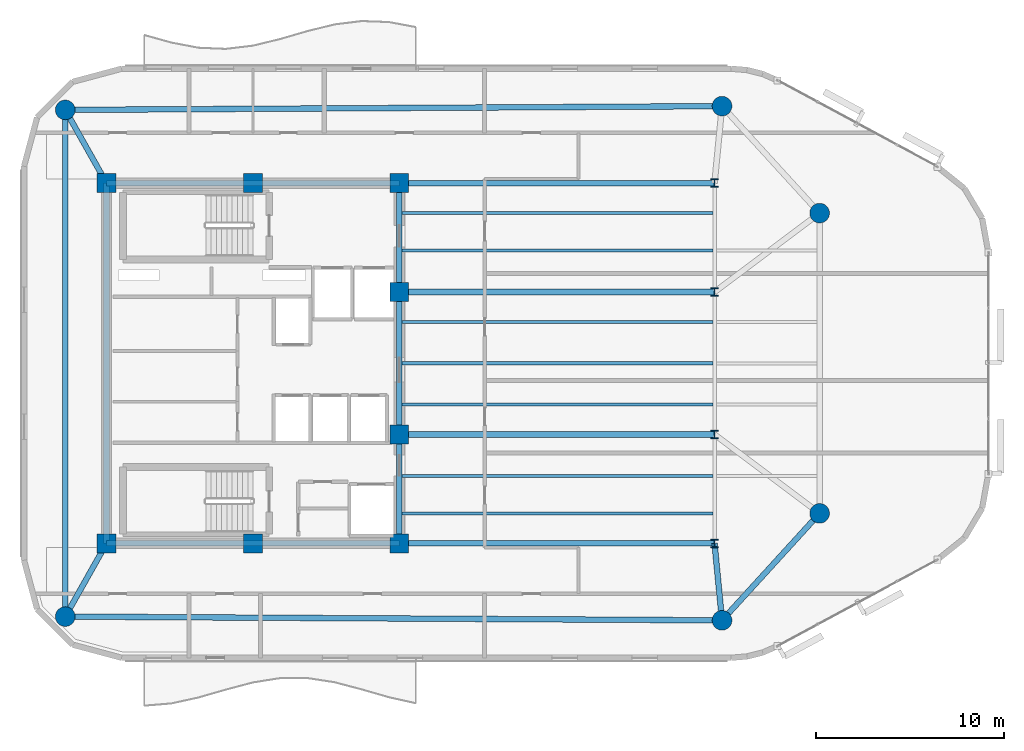
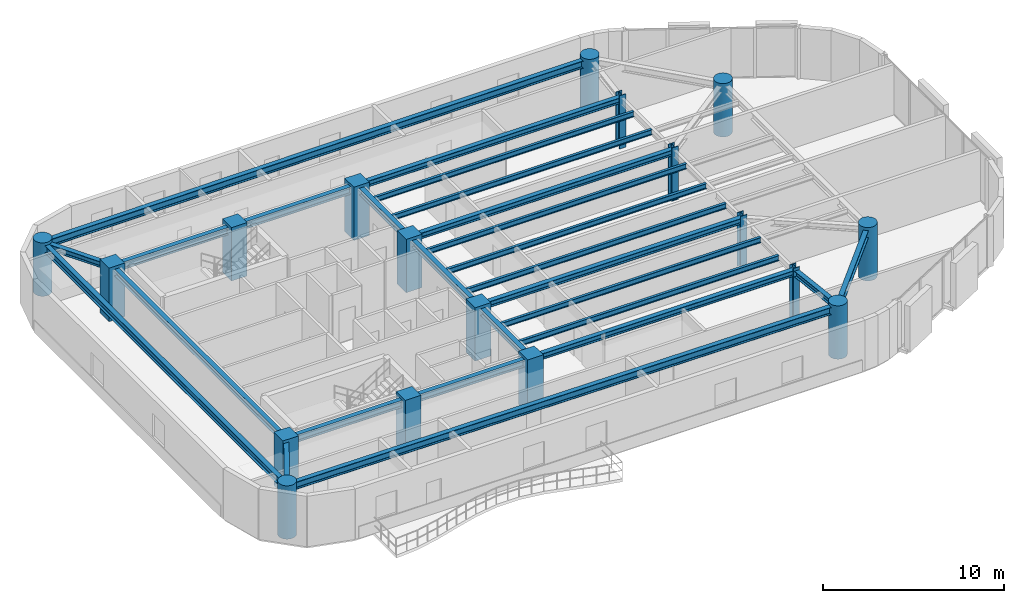
# One storey, part 1 of 13: 24 beams, 18 columns.
"""IFC4 building model written with IfcOpenShell, lengths in metres."""

from ifc_helpers import new_model, si_unit, direction, frame, origin, origin_2d, place, context, subcontext, project, spatial, rectangle, circle, i_section, extrude, material, material_profile, profile_set, type_object, element, save


model = new_model("IFC4")

# Units and contexts
model_context = context("Model", 3, precision=1e-05, world=origin(), true_north=direction((0.0, 1.0)))
body_context = subcontext(model_context, "Body", "Model", "MODEL_VIEW")
ifc_project = project(units=[si_unit("LENGTHUNIT", "METRE"), si_unit("AREAUNIT", "SQUARE_METRE"), si_unit("VOLUMEUNIT", "CUBIC_METRE"), si_unit("PLANEANGLEUNIT", "RADIAN"), si_unit("MASSUNIT", "GRAM", prefix="KILO")], contexts=[model_context])

# Site, building, storey
site_placement = place(None, origin())
site = spatial("IfcSite", under=ifc_project, at=site_placement, CompositionType="ELEMENT")
building_placement = place(site_placement, origin())
building = spatial("IfcBuilding", under=site, at=building_placement, Name="An Khanh Terracotta Commons", CompositionType="ELEMENT")
storey_placement = place(building_placement, frame((0.0, 0.0, 215.699951171875)))
storey = spatial("IfcBuildingStorey", under=building, at=storey_placement, Name="L56", CompositionType="ELEMENT", Elevation=215.699951171875)

# Columns
ifc_material_1 = material(Name="Concrete C60/75", Category="concrete")
ifc_material_profile_1 = material_profile(ifc_material_1, circle(Radius=0.52490234375, at=origin_2d()), Name="CFST1050")
ifc_profile_set_1 = profile_set([ifc_material_profile_1], Name="Concrete C60/75")
column_type_1 = type_object("IfcColumnType", Name="COL-CFST1050", PredefinedType="COLUMN", material=ifc_profile_set_1)
for number, where, z_axis, x_axis, name in (
    (1, (19.39990234375, 10.5, 0.0), (0.0, 0.0, 1.0), (1.0, 0.0, 0.0), "L56 Perimeter CFST Mega-Column MC-01"),
    (2, (54.39990234375, 10.300048828125, 0.0), (0.0, 0.0, 1.0), (1.0, 0.0, 0.0), "L56 Perimeter CFST Mega-Column MC-02"),
    (3, (59.60009765625, 16.0, 0.0), (0.0, 0.0, 1.0), (1.0, 0.0, 0.0), "L56 Perimeter CFST Mega-Column MC-03"),
    (4, (59.60009765625, 32.0, 0.0), (0.0, 0.0, 1.0), (1.0, 0.0, 0.0), "L56 Perimeter CFST Mega-Column MC-04"),
    (5, (54.39990234375, 37.699951171875, 0.0), (0.0, 0.0, 1.0), (1.0, 0.0, 0.0), "L56 Perimeter CFST Mega-Column MC-05"),
    (6, (19.39990234375, 37.5, 0.0), (0.0, 0.0, 1.0), (1.0, 0.0, 0.0), "L56 Perimeter CFST Mega-Column MC-06"),
):
    element("IfcColumn", number, at=place(storey_placement, frame(where, z_axis=z_axis, x_axis=x_axis)), inside=storey, type_object=column_type_1, Name=name, PredefinedType="COLUMN", context=body_context, shape_type="SweptSolid", body=[
        extrude(circle(Radius=0.52490234375, at=origin_2d()), origin(), (0.0, 0.0, 1.0), 3.60009765625),
    ])
ifc_material_2 = material(Name="Steel S460ML", Category="steel")
ifc_material_profile_2 = material_profile(ifc_material_2, i_section(OverallWidth=0.406005859375, OverallDepth=0.43994140625, WebThickness=0.02392578125, FlangeThickness=0.0390625, FilletRadius=0.014892578125, at=origin_2d()), Name="HD400x314")
ifc_profile_set_2 = profile_set([ifc_material_profile_2], Name="Steel S460ML")
column_type_2 = type_object("IfcColumnType", Name="COL-HD400x314", PredefinedType="COLUMN", material=ifc_profile_set_2)
for number, where, z_axis, x_axis, name in (
    (7, (54.0, 14.39990234375, 0.0), (0.0, 0.0, 1.0), (1.0, 0.0, 0.0), "L56 Interior Frame Column TC-01"),
    (8, (54.0, 20.199951171875, 0.0), (0.0, 0.0, 1.0), (1.0, 0.0, 0.0), "L56 Interior Frame Column TC-02"),
    (9, (54.0, 27.800048828125, 0.0), (0.0, 0.0, 1.0), (1.0, 0.0, 0.0), "L56 Interior Frame Column TC-03"),
    (10, (54.0, 33.60009765625, 0.0), (0.0, 0.0, 1.0), (1.0, 0.0, 0.0), "L56 Interior Frame Column TC-04"),
):
    element("IfcColumn", number, at=place(storey_placement, frame(where, z_axis=z_axis, x_axis=x_axis)), inside=storey, type_object=column_type_2, Name=name, PredefinedType="COLUMN", context=body_context, shape_type="SweptSolid", body=[
        extrude(i_section(OverallWidth=0.406005859375, OverallDepth=0.43994140625, WebThickness=0.02392578125, FlangeThickness=0.0390625, FilletRadius=0.014892578125, at=origin_2d()), origin(), (0.0, 0.0, 1.0), 3.60009765625),
    ])
ifc_material_profile_3 = material_profile(ifc_material_1, rectangle(XDim=1.0, YDim=1.0, at=origin_2d()), Name="RC1000x1000")
ifc_profile_set_3 = profile_set([ifc_material_profile_3], Name="Concrete C60/75")
column_type_3 = type_object("IfcColumnType", Name="COL-RC1000x1000", PredefinedType="COLUMN", material=ifc_profile_set_3)
for number, where, z_axis, x_axis, name in (
    (11, (21.60009765625, 14.39990234375, 0.0), (0.0, 0.0, 1.0), (1.0, 0.0, 0.0), "L56 Core Boundary Column CC-01"),
    (12, (29.39990234375, 14.39990234375, 0.0), (0.0, 0.0, 1.0), (1.0, 0.0, 0.0), "L56 Core Boundary Column CC-02"),
    (13, (37.199951171875, 14.39990234375, 0.0), (0.0, 0.0, 1.0), (1.0, 0.0, 0.0), "L56 Core Boundary Column CC-03"),
    (14, (37.199951171875, 20.199951171875, 0.0), (0.0, 0.0, 1.0), (1.0, 0.0, 0.0), "L56 Core Boundary Column CC-04"),
    (15, (37.199951171875, 27.800048828125, 0.0), (0.0, 0.0, 1.0), (1.0, 0.0, 0.0), "L56 Core Boundary Column CC-05"),
    (16, (37.199951171875, 33.60009765625, 0.0), (0.0, 0.0, 1.0), (1.0, 0.0, 0.0), "L56 Core Boundary Column CC-06"),
    (17, (29.39990234375, 33.60009765625, 0.0), (0.0, 0.0, 1.0), (1.0, 0.0, 0.0), "L56 Core Boundary Column CC-07"),
    (18, (21.60009765625, 33.60009765625, 0.0), (0.0, 0.0, 1.0), (1.0, 0.0, 0.0), "L56 Core Boundary Column CC-08"),
):
    element("IfcColumn", number, at=place(storey_placement, frame(where, z_axis=z_axis, x_axis=x_axis)), inside=storey, type_object=column_type_3, Name=name, PredefinedType="COLUMN", context=body_context, shape_type="SweptSolid", body=[
        extrude(rectangle(XDim=1.0, YDim=1.0, at=origin_2d()), origin(), (0.0, 0.0, 1.0), 3.60009765625),
    ])

# Beams
ifc_material_3 = material(Name="Steel S355J2", Category="steel")
ifc_material_profile_4 = material_profile(ifc_material_3, i_section(OverallWidth=0.300048828125, OverallDepth=0.39990234375, WebThickness=0.013427734375, FlangeThickness=0.02392578125, FilletRadius=0.027099609375, at=origin_2d()), Name="HEB400")
ifc_profile_set_4 = profile_set([ifc_material_profile_4], Name="Steel S355J2")
beam_type_1 = type_object("IfcBeamType", Name="BM-HEB400", PredefinedType="BEAM", material=ifc_profile_set_4)
for number, where, z_axis, x_axis, name in (
    (19, (37.199951171875, 14.39990234375, 3.199951171875), (1.0, 0.0, 0.0), (0.0, 1.0, 0.0), "L56 East Primary Floor Girder 1"),
    (20, (37.199951171875, 20.199951171875, 3.199951171875), (1.0, 0.0, 0.0), (0.0, 1.0, 0.0), "L56 East Primary Floor Girder 2"),
    (21, (37.199951171875, 27.800048828125, 3.199951171875), (1.0, 0.0, 0.0), (0.0, 1.0, 0.0), "L56 East Primary Floor Girder 3"),
    (22, (37.199951171875, 33.60009765625, 3.199951171875), (1.0, 0.0, 0.0), (0.0, 1.0, 0.0), "L56 East Primary Floor Girder 4"),
):
    element("IfcBeam", number, at=place(storey_placement, frame(where, z_axis=z_axis, x_axis=x_axis)), inside=storey, type_object=beam_type_1, Name=name, PredefinedType="BEAM", context=body_context, shape_type="SweptSolid", body=[
        extrude(i_section(OverallWidth=0.300048828125, OverallDepth=0.39990234375, WebThickness=0.013427734375, FlangeThickness=0.02392578125, FilletRadius=0.027099609375, at=origin_2d()), origin(), (0.0, 0.0, 1.0), 16.800048828125),
    ])
beam_1_placement = place(storey_placement, frame((19.39990234375, 10.5, 3.199951171875), z_axis=(0.491363608436, 0.870954536302, 0.0), x_axis=(-0.870954536302, 0.491363608436, 0.0)))
element("IfcBeam", 23, at=beam_1_placement, inside=storey, type_object=beam_type_1, Name="L56 Mega-Column Tie Girder 1", PredefinedType="BEAM", context=body_context, shape_type="SweptSolid", body=[
    extrude(i_section(OverallWidth=0.300048828125, OverallDepth=0.39990234375, WebThickness=0.013427734375, FlangeThickness=0.02392578125, FilletRadius=0.027099609375, at=origin_2d()), origin(), (0.0, 0.0, 1.0), 4.477783203125),
])
beam_2_placement = place(storey_placement, frame((54.39990234375, 10.300048828125, 3.199951171875), z_axis=(-0.097079917443, 0.995276589511, 0.0), x_axis=(-0.995276589511, -0.097079917443, 0.0)))
element("IfcBeam", 24, at=beam_2_placement, inside=storey, type_object=beam_type_1, Name="L56 Mega-Column Tie Girder 2", PredefinedType="BEAM", context=body_context, shape_type="SweptSolid", body=[
    extrude(i_section(OverallWidth=0.300048828125, OverallDepth=0.39990234375, WebThickness=0.013427734375, FlangeThickness=0.02392578125, FilletRadius=0.027099609375, at=origin_2d()), origin(), (0.0, 0.0, 1.0), 4.119384765625),
])
beam_3_placement = place(storey_placement, frame((19.39990234375, 37.5, 3.199951171875), z_axis=(0.491363608436, -0.870954536302, 0.0), x_axis=(0.870954536302, 0.491363608436, 0.0)))
element("IfcBeam", 25, at=beam_3_placement, inside=storey, type_object=beam_type_1, Name="L56 Mega-Column Tie Girder 6", PredefinedType="BEAM", context=body_context, shape_type="SweptSolid", body=[
    extrude(i_section(OverallWidth=0.300048828125, OverallDepth=0.39990234375, WebThickness=0.013427734375, FlangeThickness=0.02392578125, FilletRadius=0.027099609375, at=origin_2d()), origin(), (0.0, 0.0, 1.0), 4.477783203125),
])
ifc_material_profile_5 = material_profile(ifc_material_3, i_section(OverallWidth=0.300048828125, OverallDepth=0.449951171875, WebThickness=0.013916015625, FlangeThickness=0.02587890625, FilletRadius=0.027099609375, at=origin_2d()), Name="HEB450")
ifc_profile_set_5 = profile_set([ifc_material_profile_5], Name="Steel S355J2")
beam_type_2 = type_object("IfcBeamType", Name="BM-HEB450", PredefinedType="BEAM", material=ifc_profile_set_5)
beam_4_placement = place(storey_placement, frame((37.199951171875, 14.39990234375, 3.175048828125), z_axis=(0.0, 1.0, 0.0), x_axis=(-1.0, 0.0, 0.0)))
element("IfcBeam", 26, at=beam_4_placement, inside=storey, type_object=beam_type_2, Name="L56 Core East Coupling Girder 1", PredefinedType="BEAM", context=body_context, shape_type="SweptSolid", body=[
    extrude(i_section(OverallWidth=0.300048828125, OverallDepth=0.449951171875, WebThickness=0.013916015625, FlangeThickness=0.02587890625, FilletRadius=0.027099609375, at=origin_2d()), origin(), (0.0, 0.0, 1.0), 5.800048828125),
])
beam_5_placement = place(storey_placement, frame((37.199951171875, 20.199951171875, 3.175048828125), z_axis=(0.0, 1.0, 0.0), x_axis=(-1.0, 0.0, 0.0)))
element("IfcBeam", 27, at=beam_5_placement, inside=storey, type_object=beam_type_2, Name="L56 Core East Coupling Girder 2", PredefinedType="BEAM", context=body_context, shape_type="SweptSolid", body=[
    extrude(i_section(OverallWidth=0.300048828125, OverallDepth=0.449951171875, WebThickness=0.013916015625, FlangeThickness=0.02587890625, FilletRadius=0.027099609375, at=origin_2d()), origin(), (0.0, 0.0, 1.0), 7.60009765625),
])
beam_6_placement = place(storey_placement, frame((37.199951171875, 27.800048828125, 3.175048828125), z_axis=(0.0, 1.0, 0.0), x_axis=(-1.0, 0.0, 0.0)))
element("IfcBeam", 28, at=beam_6_placement, inside=storey, type_object=beam_type_2, Name="L56 Core East Coupling Girder 3", PredefinedType="BEAM", context=body_context, shape_type="SweptSolid", body=[
    extrude(i_section(OverallWidth=0.300048828125, OverallDepth=0.449951171875, WebThickness=0.013916015625, FlangeThickness=0.02587890625, FilletRadius=0.027099609375, at=origin_2d()), origin(), (0.0, 0.0, 1.0), 5.800048828125),
])
beam_7_placement = place(storey_placement, frame((21.60009765625, 14.39990234375, 3.175048828125), z_axis=(0.0, 1.0, 0.0), x_axis=(-1.0, 0.0, 0.0)))
element("IfcBeam", 29, at=beam_7_placement, inside=storey, type_object=beam_type_2, Name="L56 Core West Coupling Girder", PredefinedType="BEAM", context=body_context, shape_type="SweptSolid", body=[
    extrude(i_section(OverallWidth=0.300048828125, OverallDepth=0.449951171875, WebThickness=0.013916015625, FlangeThickness=0.02587890625, FilletRadius=0.027099609375, at=origin_2d()), origin(), (0.0, 0.0, 1.0), 19.2001953125),
])
ifc_material_profile_6 = material_profile(ifc_material_3, i_section(OverallWidth=0.300048828125, OverallDepth=0.5, WebThickness=0.014404296875, FlangeThickness=0.028076171875, FilletRadius=0.027099609375, at=origin_2d()), Name="HEB500")
ifc_profile_set_6 = profile_set([ifc_material_profile_6], Name="Steel S355J2")
beam_type_3 = type_object("IfcBeamType", Name="BM-HEB500", PredefinedType="BEAM", material=ifc_profile_set_6)
for number, where, z_axis, x_axis, name in (
    (30, (21.60009765625, 14.39990234375, 3.150146484375), (1.0, 0.0, 0.0), (0.0, 1.0, 0.0), "L56 Core South Coupling Girder"),
    (31, (21.60009765625, 33.60009765625, 3.150146484375), (1.0, 0.0, 0.0), (0.0, 1.0, 0.0), "L56 Core North Coupling Girder"),
):
    element("IfcBeam", number, at=place(storey_placement, frame(where, z_axis=z_axis, x_axis=x_axis)), inside=storey, type_object=beam_type_3, Name=name, PredefinedType="BEAM", context=body_context, shape_type="SweptSolid", body=[
        extrude(i_section(OverallWidth=0.300048828125, OverallDepth=0.5, WebThickness=0.014404296875, FlangeThickness=0.028076171875, FilletRadius=0.027099609375, at=origin_2d()), origin(), (0.0, 0.0, 1.0), 15.599853515625),
    ])
beam_8_placement = place(storey_placement, frame((19.39990234375, 10.5, 3.150146484375), z_axis=(0.99998368184, -0.005712797401, 0.0), x_axis=(0.005712797401, 0.99998368184, 0.0)))
element("IfcBeam", 32, at=beam_8_placement, inside=storey, type_object=beam_type_3, Name="L56 Perimeter Ring Spandrel 1", PredefinedType="BEAM", context=body_context, shape_type="SweptSolid", body=[
    extrude(i_section(OverallWidth=0.300048828125, OverallDepth=0.5, WebThickness=0.014404296875, FlangeThickness=0.028076171875, FilletRadius=0.027099609375, at=origin_2d()), origin(), (0.0, 0.0, 1.0), 35.00048828125),
])
beam_9_placement = place(storey_placement, frame((54.39990234375, 10.300048828125, 3.150146484375), z_axis=(0.673978953902, 0.738750546326, 0.0), x_axis=(-0.738750546326, 0.673978953902, 0.0)))
element("IfcBeam", 33, at=beam_9_placement, inside=storey, type_object=beam_type_3, Name="L56 Perimeter Ring Spandrel 2", PredefinedType="BEAM", context=body_context, shape_type="SweptSolid", body=[
    extrude(i_section(OverallWidth=0.300048828125, OverallDepth=0.5, WebThickness=0.014404296875, FlangeThickness=0.028076171875, FilletRadius=0.027099609375, at=origin_2d()), origin(), (0.0, 0.0, 1.0), 7.715576171875),
])
beam_10_placement = place(storey_placement, frame((54.39990234375, 37.699951171875, 3.150146484375), z_axis=(-0.99998368184, -0.005712797401, 0.0), x_axis=(0.005712797401, -0.99998368184, 0.0)))
element("IfcBeam", 34, at=beam_10_placement, inside=storey, type_object=beam_type_3, Name="L56 Perimeter Ring Spandrel 5", PredefinedType="BEAM", context=body_context, shape_type="SweptSolid", body=[
    extrude(i_section(OverallWidth=0.300048828125, OverallDepth=0.5, WebThickness=0.014404296875, FlangeThickness=0.028076171875, FilletRadius=0.027099609375, at=origin_2d()), origin(), (0.0, 0.0, 1.0), 35.00048828125),
])
beam_11_placement = place(storey_placement, frame((19.39990234375, 37.5, 3.150146484375), z_axis=(0.0, -1.0, 0.0), x_axis=(1.0, 0.0, 0.0)))
element("IfcBeam", 35, at=beam_11_placement, inside=storey, type_object=beam_type_3, Name="L56 Perimeter Ring Spandrel 6", PredefinedType="BEAM", context=body_context, shape_type="SweptSolid", body=[
    extrude(i_section(OverallWidth=0.300048828125, OverallDepth=0.5, WebThickness=0.014404296875, FlangeThickness=0.028076171875, FilletRadius=0.027099609375, at=origin_2d()), origin(), (0.0, 0.0, 1.0), 27.0),
])
ifc_material_profile_7 = material_profile(ifc_material_3, i_section(OverallWidth=0.169921875, OverallDepth=0.360107421875, WebThickness=0.008056640625, FlangeThickness=0.0126953125, FilletRadius=0.01806640625, at=origin_2d()), Name="IPE360")
ifc_profile_set_7 = profile_set([ifc_material_profile_7], Name="Steel S355J2")
beam_type_4 = type_object("IfcBeamType", Name="BM-IPE360", PredefinedType="JOIST", material=ifc_profile_set_7)
for number, where, z_axis, x_axis, name in (
    (36, (37.199951171875, 16.0, 3.219970703125), (1.0, 0.0, 0.0), (0.0, 1.0, 0.0), "L56 Inboard Composite Joist 1"),
    (37, (37.199951171875, 18.0, 3.219970703125), (1.0, 0.0, 0.0), (0.0, 1.0, 0.0), "L56 Inboard Composite Joist 2"),
    (38, (37.199951171875, 21.800048828125, 3.219970703125), (1.0, 0.0, 0.0), (0.0, 1.0, 0.0), "L56 Inboard Composite Joist 3"),
    (39, (37.199951171875, 24.0, 3.219970703125), (1.0, 0.0, 0.0), (0.0, 1.0, 0.0), "L56 Inboard Composite Joist 4"),
    (40, (37.199951171875, 26.199951171875, 3.219970703125), (1.0, 0.0, 0.0), (0.0, 1.0, 0.0), "L56 Inboard Composite Joist 5"),
    (41, (37.199951171875, 30.0, 3.219970703125), (1.0, 0.0, 0.0), (0.0, 1.0, 0.0), "L56 Inboard Composite Joist 6"),
    (42, (37.199951171875, 32.0, 3.219970703125), (1.0, 0.0, 0.0), (0.0, 1.0, 0.0), "L56 Inboard Composite Joist 7"),
):
    element("IfcBeam", number, at=place(storey_placement, frame(where, z_axis=z_axis, x_axis=x_axis)), inside=storey, type_object=beam_type_4, Name=name, PredefinedType="JOIST", context=body_context, shape_type="SweptSolid", body=[
        extrude(i_section(OverallWidth=0.169921875, OverallDepth=0.360107421875, WebThickness=0.008056640625, FlangeThickness=0.0126953125, FilletRadius=0.01806640625, at=origin_2d()), origin(), (0.0, 0.0, 1.0), 16.705078125),
    ])

save(model, "model.ifc")
